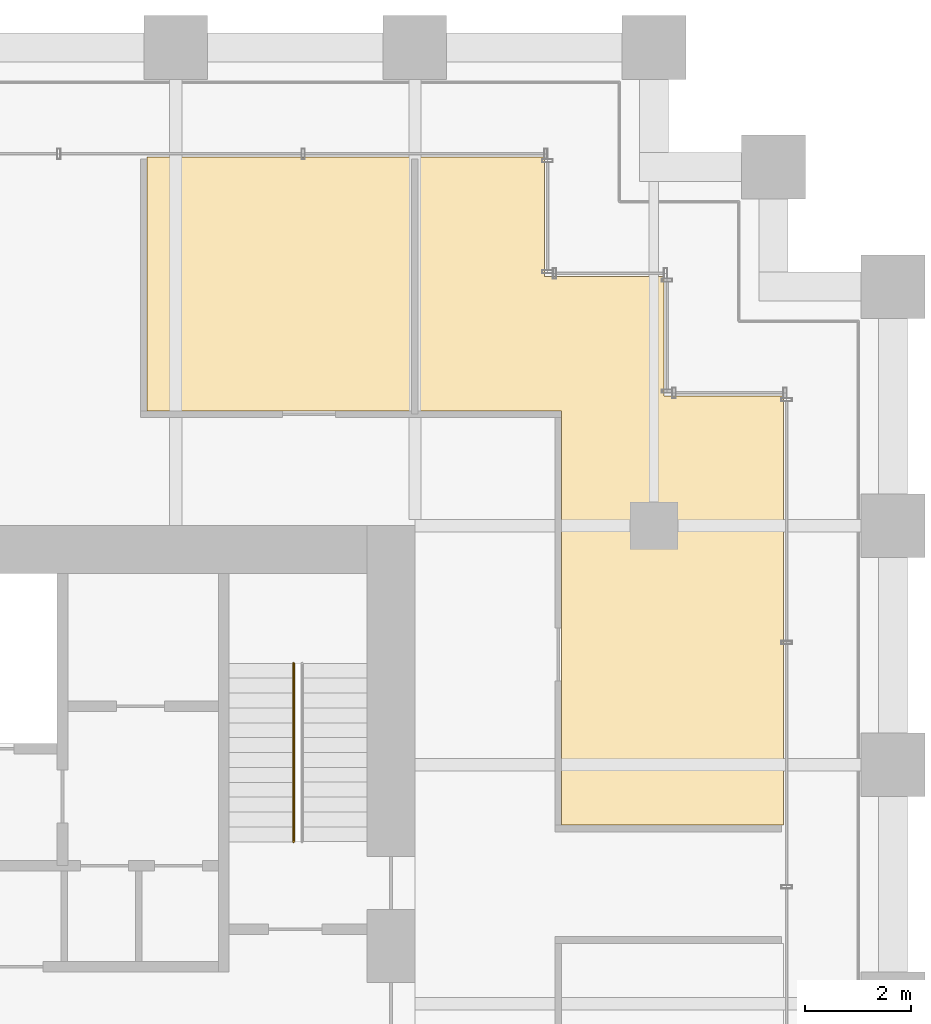
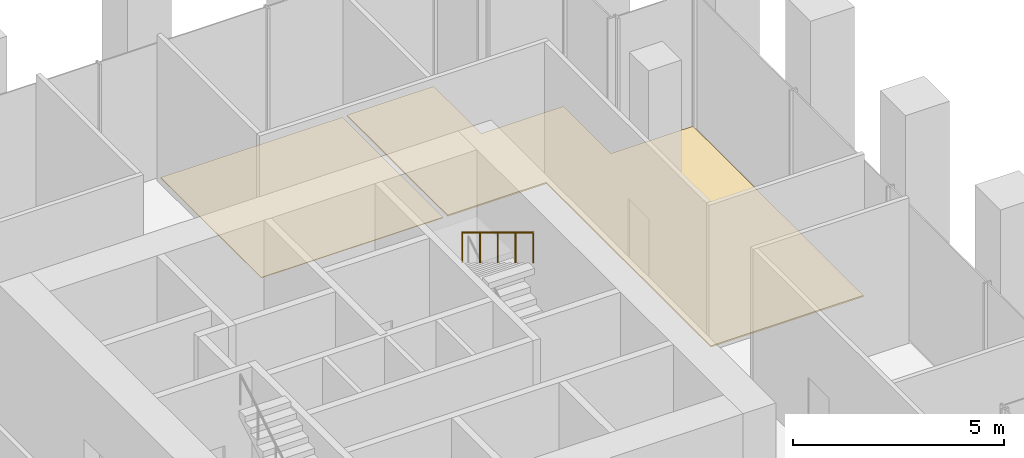
# One storey, part 36 of 36: 2 coverings, 1 railing.
"""IFC4 building model written with IfcOpenShell, lengths in metres."""

from ifc_helpers import new_model, si_unit, direction, frame, origin, origin_2d, place, context, subcontext, project, spatial, polyline, circle, outline, extrude, source, transform, mapped, material, layer, layer_set, type_object, element, save


model = new_model("IFC4")

# Units and contexts
model_context = context("Model", 3, precision=1e-05, world=origin(), true_north=direction((0.0, 1.0)))
body_context = subcontext(model_context, "Body", "Model", "MODEL_VIEW")
ifc_project = project(units=[si_unit("LENGTHUNIT", "METRE"), si_unit("AREAUNIT", "SQUARE_METRE"), si_unit("VOLUMEUNIT", "CUBIC_METRE"), si_unit("PLANEANGLEUNIT", "RADIAN"), si_unit("MASSUNIT", "GRAM", prefix="KILO")], contexts=[model_context])

# Site, building, storey
site_placement = place(None, origin())
site = spatial("IfcSite", under=ifc_project, at=site_placement, CompositionType="ELEMENT")
building_placement = place(site_placement, origin())
building = spatial("IfcBuilding", under=site, at=building_placement, Name="Altepetl Exchange Towers", CompositionType="ELEMENT")
storey_placement = place(building_placement, frame((0.0, 0.0, 38.60009765625)))
storey = spatial("IfcBuildingStorey", under=building, at=storey_placement, Name="L08", CompositionType="ELEMENT", Elevation=38.60009765625)

# Coverings
ifc_material_1 = material(Name="Carpet tile")
ifc_layer_1 = layer(ifc_material_1, 0.02001953125)
ifc_layer_set_1 = layer_set([ifc_layer_1], Name="Carpet tile")
covering_type_1 = type_object("IfcCoveringType", Name="Carpet tile floor", PredefinedType="FLOORING", material=ifc_layer_set_1)
covering_1_placement = place(storey_placement, origin())
element("IfcCovering", 1, at=covering_1_placement, inside=storey, type_object=covering_type_1, Name="Quiet room floor finish B08.06", PredefinedType="FLOORING", context=body_context, shape_type="SweptSolid", body=[
    extrude(outline(polyline([(111.96240234375, 51.66259765625), (116.9375, 51.66259765625), (116.9375, 56.4375), (111.96240234375, 56.4375), (111.96240234375, 51.66259765625)])), origin(), (0.0, 0.0, 1.0), 0.02001953125),
])
ifc_material_2 = material(Name="Calcium sulphate access floor panel")
ifc_layer_2 = layer(ifc_material_2, 0.0400390625)
ifc_layer_set_2 = layer_set([ifc_layer_2], Name="Calcium sulphate access floor panel")
covering_type_2 = type_object("IfcCoveringType", Name="Raised access floor panels", PredefinedType="FLOORING", material=ifc_layer_set_2)
covering_2_placement = place(storey_placement, origin())
element("IfcCovering", 2, at=covering_2_placement, inside=storey, type_object=covering_type_2, Name="Broker office floor finish B08.05", PredefinedType="FLOORING", context=body_context, shape_type="SweptSolid", body=[
    extrude(outline(polyline([(121.6875, 51.9375), (121.6875, 54.1875), (119.4375, 54.1875), (119.4375, 56.4375), (117.0625, 56.4375), (117.0625, 51.66259765625), (119.762451171875, 51.66259765625), (119.762451171875, 43.862548828125), (123.9375, 43.862548828125), (123.9375, 51.9375), (121.6875, 51.9375)])), origin(), (0.0, 0.0, 1.0), 0.039794921875),
])

# Railing
ifc_material_3 = material(Name="Steel", Category="steel")
railing_type = type_object("IfcRailingType", Name="Stair handrail 50 steel tube", PredefinedType="HANDRAIL", material=ifc_material_3)
shared_shape = source(origin(), body_context, "Body", "SweptSolid", [
    extrude(circle(Radius=0.02099609375, at=origin_2d()), origin(), (0.0, 0.0, 1.0), 0.851806640625),
])
railing_placement = place(storey_placement, frame((114.719970703125, 46.909912109375, 2.369140625)))
element("IfcRailing", 3, at=railing_placement, inside=storey, type_object=railing_type, Name="Stair handrail", PredefinedType="HANDRAIL", context=body_context, shape_type="SweptSolid", body=[
    extrude(circle(Radius=0.02392578125, at=origin_2d()), frame((0.0, 0.0, 0.8759765625), z_axis=(0.0, -0.855820338506, 0.51727318527), x_axis=(1.0, 0.0, 0.0)), (0.0, 0.0, 1.0), 3.92578125),
    mapped(shared_shape, transform((0.0, 0.0, 0.0))),
    mapped(shared_shape, transform((0.0, -0.83984375, 0.5078125))),
    mapped(shared_shape, transform((0.0, -1.679931640625, 1.015380859375))),
    mapped(shared_shape, transform((0.0, -2.52001953125, 1.52294921875))),
    mapped(shared_shape, transform((0.0, -3.35986328125, 2.03076171875))),
])

save(model, "model.ifc")
